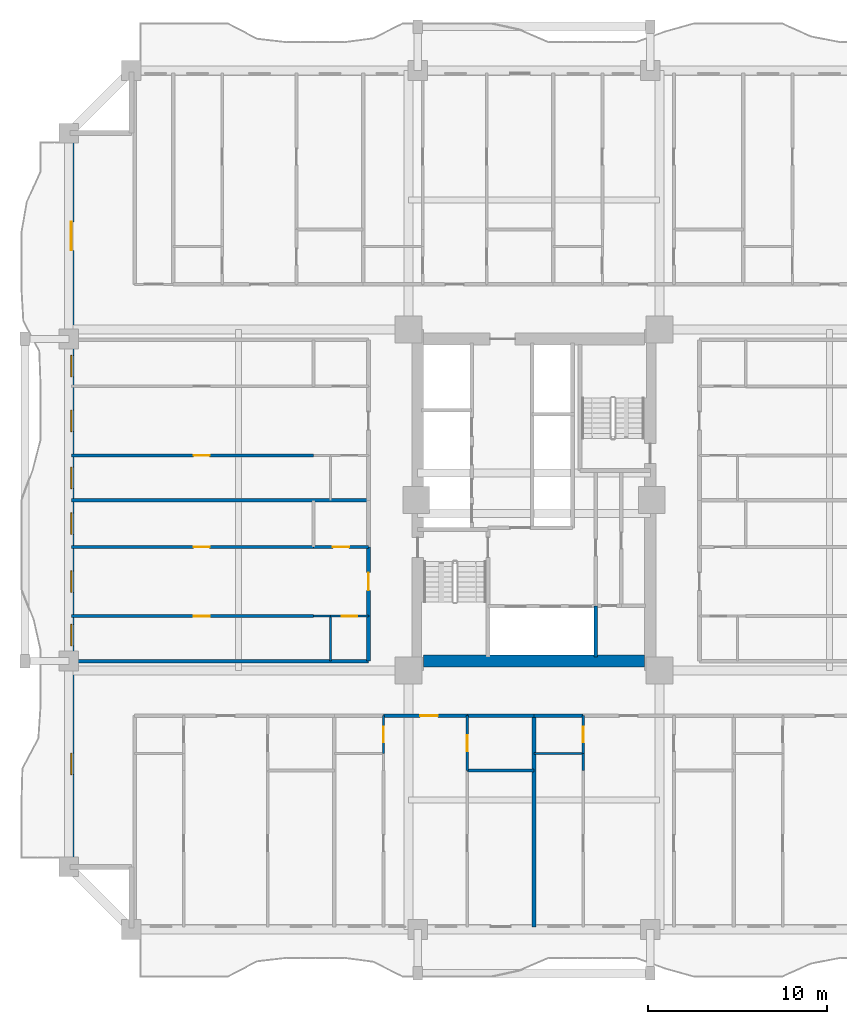
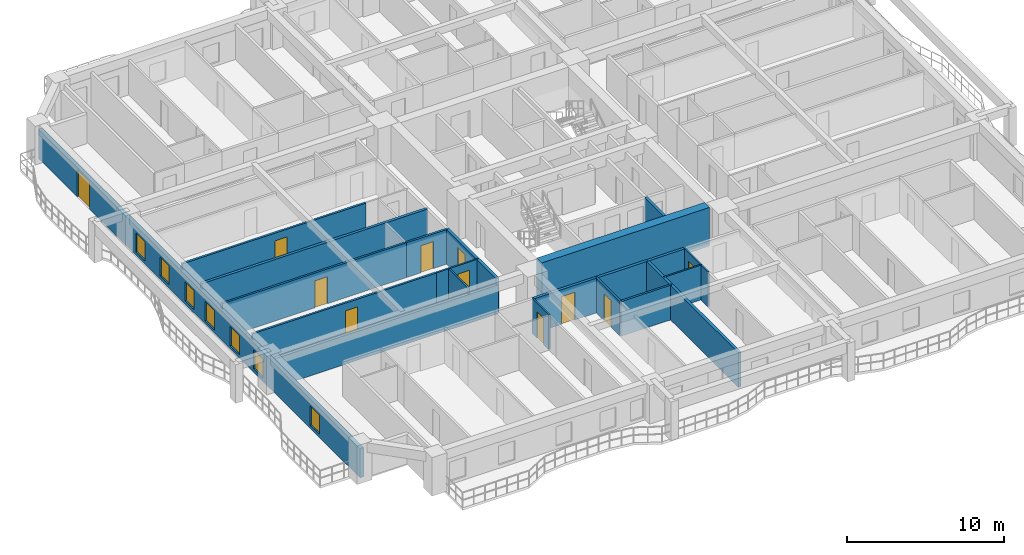
# One storey, part 3 of 15: 24 walls, 11 doors, 7 windows, 18 openings.
"""IFC4 building model written with IfcOpenShell, lengths in metres."""

from ifc_helpers import new_model, si_unit, direction, frame, frame_2d, origin, place, context, subcontext, project, spatial, rectangle, extrude, source, transform, mapped, material, layer, layer_set, type_object, element, fill, save


model = new_model("IFC4")

# Units and contexts
model_context = context("Model", 3, precision=1e-05, world=origin(), true_north=direction((0.0, 1.0)))
body_context = subcontext(model_context, "Body", "Model", "MODEL_VIEW")
ifc_project = project(units=[si_unit("LENGTHUNIT", "METRE"), si_unit("AREAUNIT", "SQUARE_METRE"), si_unit("VOLUMEUNIT", "CUBIC_METRE"), si_unit("PLANEANGLEUNIT", "RADIAN"), si_unit("MASSUNIT", "GRAM", prefix="KILO")], contexts=[model_context])

# Site, building, storey
site_placement = place(None, origin())
site = spatial("IfcSite", under=ifc_project, at=site_placement, CompositionType="ELEMENT")
building_placement = place(site_placement, origin())
building = spatial("IfcBuilding", under=site, at=building_placement, Name="Saelheon Loggia Tower", CompositionType="ELEMENT")
storey_placement = place(building_placement, frame((0.0, 0.0, 67.39990234375)))
storey = spatial("IfcBuildingStorey", under=building, at=storey_placement, Name="L21", CompositionType="ELEMENT", Elevation=67.39990234375)

# Wall
ifc_material_1 = material(Name="Concrete C60/75", Category="concrete")
ifc_layer_1 = layer(ifc_material_1, 0.64990234375)
ifc_layer_set_1 = layer_set([ifc_layer_1], Name="Concrete C60/75")
wall_type_1 = type_object("IfcWallType", Name="Wall_CoreShear_650", PredefinedType="SHEAR", material=ifc_layer_set_1)
wall_1_placement = place(storey_placement, frame((31.824951171875, 18.0, 0.0), z_axis=(0.0, 0.0, 1.0), x_axis=(1.0, 0.0, 0.0)))
element("IfcWall", 1, at=wall_1_placement, inside=storey, type_object=wall_type_1, Name="L21 Core Shear Wall South", PredefinedType="SHEAR", context=body_context, shape_type="SweptSolid", body=[
    extrude(rectangle(XDim=12.35009765625, YDim=0.64990234375, at=frame_2d((6.175048828125, 0.0))), origin(), (0.0, 0.0, 1.0), 3.0),
])

# Wall, openings, windows, door
ifc_material_2 = material(Name="Architectural Precast Concrete C40/50", Category="concrete")
ifc_layer_2 = layer(ifc_material_2, 0.280029296875)
ifc_layer_set_2 = layer_set([ifc_layer_2], Name="Architectural Precast Concrete C40/50")
wall_type_2 = type_object("IfcWallType", Name="Wall_Ext_Loggia_280", PredefinedType="SOLIDWALL", material=ifc_layer_set_2)
wall_2_placement = place(storey_placement, frame((12.139892578125, 6.5, 0.0), z_axis=(0.0, 0.0, 1.0), x_axis=(0.0, 1.0, 0.0)))
wall_2 = element("IfcWall", 2, at=wall_2_placement, inside=storey, type_object=wall_type_2, Name="L21 West Loggia Inner Wall", PredefinedType="SOLIDWALL", context=body_context, shape_type="SweptSolid", body=[
    extrude(rectangle(XDim=41.0, YDim=0.280029296875, at=frame_2d((20.5, 0.0))), origin(), (0.0, 0.0, 1.0), 2.280029296875),
])
opening_1_placement = place(wall_2_placement, frame((5.14990234375, 0.0, 0.25)))
opening_1 = element("IfcOpeningElement", 3, at=opening_1_placement, cuts=wall_2, Name="Opening WN-03", PredefinedType="OPENING", context=body_context, shape_type="SweptSolid", body=[
    extrude(rectangle(XDim=1.199951171875, YDim=1.5, at=frame_2d((0.60009765625, 0.75))), frame((0.0, 0.152099609375, 0.0), z_axis=(0.0, -1.0, 0.0), x_axis=(1.0, 0.0, 0.0)), (0.0, 0.0, 1.0), 0.303955078125),
])
opening_2_placement = place(wall_2_placement, frame((12.3515625, 0.0, 0.25)))
opening_2 = element("IfcOpeningElement", 4, at=opening_2_placement, cuts=wall_2, Name="Opening WN-03", PredefinedType="OPENING", context=body_context, shape_type="SweptSolid", body=[
    extrude(rectangle(XDim=1.199951171875, YDim=1.5, at=frame_2d((0.60009765625, 0.75))), frame((0.0, 0.152099609375, 0.0), z_axis=(0.0, -1.0, 0.0), x_axis=(1.0, 0.0, 0.0)), (0.0, 0.0, 1.0), 0.303955078125),
])
opening_3_placement = place(wall_2_placement, frame((15.343994140625, 0.0, 0.25)))
opening_3 = element("IfcOpeningElement", 5, at=opening_3_placement, cuts=wall_2, Name="Opening WN-03", PredefinedType="OPENING", context=body_context, shape_type="SweptSolid", body=[
    extrude(rectangle(XDim=1.199951171875, YDim=1.5, at=frame_2d((0.60009765625, 0.75))), frame((0.0, 0.152099609375, 0.0), z_axis=(0.0, -1.0, 0.0), x_axis=(1.0, 0.0, 0.0)), (0.0, 0.0, 1.0), 0.303955078125),
])
opening_4_placement = place(wall_2_placement, frame((18.574951171875, 0.0, 0.25)))
opening_4 = element("IfcOpeningElement", 6, at=opening_4_placement, cuts=wall_2, Name="Opening WN-03", PredefinedType="OPENING", context=body_context, shape_type="SweptSolid", body=[
    extrude(rectangle(XDim=1.199951171875, YDim=1.5, at=frame_2d((0.60009765625, 0.75))), frame((0.0, 0.152099609375, 0.0), z_axis=(0.0, -1.0, 0.0), x_axis=(1.0, 0.0, 0.0)), (0.0, 0.0, 1.0), 0.303955078125),
])
opening_5_placement = place(wall_2_placement, frame((21.131591796875, 0.0, 0.25)))
opening_5 = element("IfcOpeningElement", 7, at=opening_5_placement, cuts=wall_2, Name="Opening WN-03", PredefinedType="OPENING", context=body_context, shape_type="SweptSolid", body=[
    extrude(rectangle(XDim=1.199951171875, YDim=1.5, at=frame_2d((0.60009765625, 0.75))), frame((0.0, 0.152099609375, 0.0), z_axis=(0.0, -1.0, 0.0), x_axis=(1.0, 0.0, 0.0)), (0.0, 0.0, 1.0), 0.303955078125),
])
opening_6_placement = place(wall_2_placement, frame((24.319091796875, 0.0, 0.25)))
opening_6 = element("IfcOpeningElement", 8, at=opening_6_placement, cuts=wall_2, Name="Opening WN-03", PredefinedType="OPENING", context=body_context, shape_type="SweptSolid", body=[
    extrude(rectangle(XDim=1.199951171875, YDim=1.5, at=frame_2d((0.60009765625, 0.75))), frame((0.0, 0.152099609375, 0.0), z_axis=(0.0, -1.0, 0.0), x_axis=(1.0, 0.0, 0.0)), (0.0, 0.0, 1.0), 0.303955078125),
])
opening_7_placement = place(wall_2_placement, frame((27.3798828125, 0.0, 0.25)))
opening_7 = element("IfcOpeningElement", 9, at=opening_7_placement, cuts=wall_2, Name="Opening WN-03", PredefinedType="OPENING", context=body_context, shape_type="SweptSolid", body=[
    extrude(rectangle(XDim=1.199951171875, YDim=1.5, at=frame_2d((0.60009765625, 0.75))), frame((0.0, 0.152099609375, 0.0), z_axis=(0.0, -1.0, 0.0), x_axis=(1.0, 0.0, 0.0)), (0.0, 0.0, 1.0), 0.303955078125),
])
opening_8_placement = place(wall_2_placement, frame((34.449951171875, 0.0, 0.0)))
opening_8 = element("IfcOpeningElement", 10, at=opening_8_placement, cuts=wall_2, Name="Opening DLG-1", PredefinedType="OPENING", context=body_context, shape_type="SweptSolid", body=[
    extrude(rectangle(XDim=1.60009765625, YDim=2.14990234375, at=frame_2d((0.800048828125, 1.074951171875))), frame((0.0, 0.152099609375, 0.0), z_axis=(0.0, -1.0, 0.0), x_axis=(1.0, 0.0, 0.0)), (0.0, 0.0, 1.0), 0.303955078125),
])
ifc_material_3 = material(Name="Thermal-Break Aluminium and Triple Low-E Glass", Category="aluminium")
window_type = type_object("IfcWindowType", Name="Win_Bedroom_1200x1500", PartitioningType="SINGLE_PANEL", PredefinedType="WINDOW", material=ifc_material_3)
shared_shape_1 = source(origin(), body_context, "Body", "SweptSolid", [
    extrude(rectangle(XDim=1.199951171875, YDim=1.5, at=frame_2d((0.60009765625, 0.75))), frame((0.0, 0.030029296875, 0.0), z_axis=(0.0, -1.0, 0.0), x_axis=(1.0, 0.0, 0.0)), (0.0, 0.0, 1.0), 0.06005859375),
])
window_1_placement = place(opening_1_placement, origin())
window_1 = element("IfcWindow", 11, at=window_1_placement, inside=storey, type_object=window_type, Name="L21 W Dwelling Window 1", OverallHeight=1.5, OverallWidth=1.199951171875, PartitioningType="SINGLE_PANEL", PredefinedType="WINDOW", context=body_context, shape_type="MappedRepresentation", body=[
    mapped(shared_shape_1, transform((0.0, 0.0, 0.0), scale=1.0)),
])
fill(opening_1, window_1)
window_2_placement = place(opening_2_placement, origin())
window_2 = element("IfcWindow", 12, at=window_2_placement, inside=storey, type_object=window_type, Name="L21 W Dwelling Window 2", OverallHeight=1.5, OverallWidth=1.199951171875, PartitioningType="SINGLE_PANEL", PredefinedType="WINDOW", context=body_context, shape_type="MappedRepresentation", body=[
    mapped(shared_shape_1, transform((0.0, 0.0, 0.0), scale=1.0)),
])
fill(opening_2, window_2)
window_3_placement = place(opening_3_placement, origin())
window_3 = element("IfcWindow", 13, at=window_3_placement, inside=storey, type_object=window_type, Name="L21 W Dwelling Window 3", OverallHeight=1.5, OverallWidth=1.199951171875, PartitioningType="SINGLE_PANEL", PredefinedType="WINDOW", context=body_context, shape_type="MappedRepresentation", body=[
    mapped(shared_shape_1, transform((0.0, 0.0, 0.0), scale=1.0)),
])
fill(opening_3, window_3)
window_4_placement = place(opening_4_placement, origin())
window_4 = element("IfcWindow", 14, at=window_4_placement, inside=storey, type_object=window_type, Name="L21 W Dwelling Window 4", OverallHeight=1.5, OverallWidth=1.199951171875, PartitioningType="SINGLE_PANEL", PredefinedType="WINDOW", context=body_context, shape_type="MappedRepresentation", body=[
    mapped(shared_shape_1, transform((0.0, 0.0, 0.0), scale=1.0)),
])
fill(opening_4, window_4)
window_5_placement = place(opening_5_placement, origin())
window_5 = element("IfcWindow", 15, at=window_5_placement, inside=storey, type_object=window_type, Name="L21 W Dwelling Window 5", OverallHeight=1.5, OverallWidth=1.199951171875, PartitioningType="SINGLE_PANEL", PredefinedType="WINDOW", context=body_context, shape_type="MappedRepresentation", body=[
    mapped(shared_shape_1, transform((0.0, 0.0, 0.0), scale=1.0)),
])
fill(opening_5, window_5)
window_6_placement = place(opening_6_placement, origin())
window_6 = element("IfcWindow", 16, at=window_6_placement, inside=storey, type_object=window_type, Name="L21 W Dwelling Window 6", OverallHeight=1.5, OverallWidth=1.199951171875, PartitioningType="SINGLE_PANEL", PredefinedType="WINDOW", context=body_context, shape_type="MappedRepresentation", body=[
    mapped(shared_shape_1, transform((0.0, 0.0, 0.0), scale=1.0)),
])
fill(opening_6, window_6)
window_7_placement = place(opening_7_placement, origin())
window_7 = element("IfcWindow", 17, at=window_7_placement, inside=storey, type_object=window_type, Name="L21 W Dwelling Window 7", OverallHeight=1.5, OverallWidth=1.199951171875, PartitioningType="SINGLE_PANEL", PredefinedType="WINDOW", context=body_context, shape_type="MappedRepresentation", body=[
    mapped(shared_shape_1, transform((0.0, 0.0, 0.0), scale=1.0)),
])
fill(opening_7, window_7)
ifc_material_4 = material(Name="Thermal-Break Aluminium Sliding Glazed Door", Category="aluminium")
door_type_1 = type_object("IfcDoorType", Name="Door_LoggiaSlide_1600", OperationType="SLIDING_TO_LEFT", PredefinedType="DOOR", material=ifc_material_4)
shared_shape_2 = source(origin(), body_context, "Body", "SweptSolid", [
    extrude(rectangle(XDim=1.60009765625, YDim=2.14990234375, at=frame_2d((0.800048828125, 1.074951171875))), frame((0.0, 0.02490234375, 0.0), z_axis=(0.0, -1.0, 0.0), x_axis=(1.0, 0.0, 0.0)), (0.0, 0.0, 1.0), 0.050048828125),
])
door_1_placement = place(opening_8_placement, origin())
door_1 = element("IfcDoor", 18, at=door_1_placement, inside=storey, type_object=door_type_1, Name="L21 W Loggia Access Door", OperationType="SLIDING_TO_LEFT", OverallHeight=2.14990234375, OverallWidth=1.60009765625, PredefinedType="DOOR", context=body_context, shape_type="MappedRepresentation", body=[
    mapped(shared_shape_2, transform((0.0, 0.0, 0.0), scale=1.0)),
])
fill(opening_8, door_1)

# Wall
ifc_material_5 = material(Name="Lightweight Autoclaved Aerated Concrete Block and Acoustic Gypsum", Category="concrete")
ifc_layer_3 = layer(ifc_material_5, 0.14990234375)
ifc_layer_set_3 = layer_set([ifc_layer_3], Name="Lightweight Autoclaved Aerated Concrete Block and Acoustic Gypsum")
wall_type_3 = type_object("IfcWallType", Name="Wall_Part_150", PredefinedType="PARTITIONING", material=ifc_layer_set_3)
wall_3_placement = place(storey_placement, frame((34.277099609375, 11.8798828125, 0.0), z_axis=(0.0, 0.0, 1.0), x_axis=(1.0, 0.0, 0.0)))
element("IfcWall", 19, at=wall_3_placement, inside=storey, type_object=wall_type_3, Name="L21 S Partition V18", PredefinedType="PARTITIONING", context=body_context, shape_type="SweptSolid", body=[
    extrude(rectangle(XDim=3.722900390625, YDim=0.14990234375, at=frame_2d((1.861328125, 0.0))), origin(), (0.0, 0.0, 1.0), 2.7001953125),
])

# Wall, opening, door
wall_4_placement = place(storey_placement, frame((34.277099609375, 14.949951171875, 0.0), z_axis=(0.0, 0.0, 1.0), x_axis=(0.0, -1.0, 0.0)))
wall_4 = element("IfcWall", 20, at=wall_4_placement, inside=storey, type_object=wall_type_3, Name="L21 S Partition U22", PredefinedType="PARTITIONING", context=body_context, shape_type="SweptSolid", body=[
    extrude(rectangle(XDim=3.070068359375, YDim=0.14990234375, at=frame_2d((1.53515625, 0.0))), origin(), (0.0, 0.0, 1.0), 2.7001953125),
])
opening_9_placement = place(wall_4_placement, frame((1.0849609375, 0.0, 0.0)))
opening_9 = element("IfcOpeningElement", 21, at=opening_9_placement, cuts=wall_4, Name="Opening D-IN2", PredefinedType="OPENING", context=body_context, shape_type="SweptSolid", body=[
    extrude(rectangle(XDim=0.89990234375, YDim=2.10009765625, at=frame_2d((0.449951171875, 1.050048828125))), frame((0.0, 0.0869140625, 0.0), z_axis=(0.0, -1.0, 0.0), x_axis=(1.0, 0.0, 0.0)), (0.0, 0.0, 1.0), 0.173828125),
])
ifc_material_6 = material(Name="Engineered Oak Flush Door", Category="timber")
door_type_2 = type_object("IfcDoorType", Name="Door_Int_900", OperationType="NOTDEFINED", PredefinedType="DOOR", material=ifc_material_6)
shared_shape_3 = source(origin(), body_context, "Body", "SweptSolid", [
    extrude(rectangle(XDim=0.89990234375, YDim=2.10009765625, at=frame_2d((0.449951171875, 1.050048828125))), frame((0.0, 0.02490234375, 0.0), z_axis=(0.0, -1.0, 0.0), x_axis=(1.0, 0.0, 0.0)), (0.0, 0.0, 1.0), 0.050048828125),
])
door_2_placement = place(opening_9_placement, origin())
door_2 = element("IfcDoor", 22, at=door_2_placement, inside=storey, type_object=door_type_2, Name="Unit U02 Home Office Door", OperationType="SINGLE_SWING_RIGHT", OverallHeight=2.10009765625, OverallWidth=0.89990234375, PredefinedType="DOOR", context=body_context, shape_type="MappedRepresentation", body=[
    mapped(shared_shape_3, transform((0.0, 0.0, 0.0), scale=1.0)),
])
fill(opening_9, door_2)

wall_5_placement = place(storey_placement, frame((25.679931640625, 20.512939453125, 0.0), z_axis=(0.0, 0.0, 1.0), x_axis=(-1.0, 0.0, 0.0)))
wall_5 = element("IfcWall", 23, at=wall_5_placement, inside=storey, type_object=wall_type_3, Name="L21 W Partition U10", PredefinedType="PARTITIONING", context=body_context, shape_type="SweptSolid", body=[
    extrude(rectangle(XDim=13.530029296875, YDim=0.14990234375, at=frame_2d((6.76513671875, 0.0))), origin(), (0.0, 0.0, 1.0), 2.7001953125),
])
opening_10_placement = place(wall_5_placement, frame((5.80859375, 0.0, 0.0)))
opening_10 = element("IfcOpeningElement", 24, at=opening_10_placement, cuts=wall_5, Name="Opening D-IN2", PredefinedType="OPENING", context=body_context, shape_type="SweptSolid", body=[
    extrude(rectangle(XDim=0.89990234375, YDim=2.10009765625, at=frame_2d((0.449951171875, 1.050048828125))), frame((0.0, 0.0869140625, 0.0), z_axis=(0.0, -1.0, 0.0), x_axis=(1.0, 0.0, 0.0)), (0.0, 0.0, 1.0), 0.173828125),
])
door_3_placement = place(opening_10_placement, origin())
door_3 = element("IfcDoor", 25, at=door_3_placement, inside=storey, type_object=door_type_2, Name="Unit U09 Kitchen Door", OperationType="SINGLE_SWING_LEFT", OverallHeight=2.10009765625, OverallWidth=0.89990234375, PredefinedType="DOOR", context=body_context, shape_type="MappedRepresentation", body=[
    mapped(shared_shape_3, transform((0.0, 0.0, 0.0), scale=1.0)),
])
fill(opening_10, door_3)

wall_6_placement = place(storey_placement, frame((28.75, 24.375, 0.0), z_axis=(0.0, 0.0, 1.0), x_axis=(-1.0, 0.0, 0.0)))
wall_6 = element("IfcWall", 26, at=wall_6_placement, inside=storey, type_object=wall_type_3, Name="L21 W Partition U11", PredefinedType="PARTITIONING", context=body_context, shape_type="SweptSolid", body=[
    extrude(rectangle(XDim=3.070068359375, YDim=0.14990234375, at=frame_2d((1.53515625, 0.0))), origin(), (0.0, 0.0, 1.0), 2.7001953125),
])
opening_11_placement = place(wall_6_placement, frame((1.0849609375, 0.0, 0.0)))
opening_11 = element("IfcOpeningElement", 27, at=opening_11_placement, cuts=wall_6, Name="Opening D-IN2", PredefinedType="OPENING", context=body_context, shape_type="SweptSolid", body=[
    extrude(rectangle(XDim=0.89990234375, YDim=2.10009765625, at=frame_2d((0.449951171875, 1.050048828125))), frame((0.0, 0.0869140625, 0.0), z_axis=(0.0, -1.0, 0.0), x_axis=(1.0, 0.0, 0.0)), (0.0, 0.0, 1.0), 0.173828125),
])
door_4_placement = place(opening_11_placement, origin())
door_4 = element("IfcDoor", 28, at=door_4_placement, inside=storey, type_object=door_type_2, Name="Unit U09 Dressing Closet Door", OperationType="SINGLE_SWING_RIGHT", OverallHeight=2.10009765625, OverallWidth=0.89990234375, PredefinedType="DOOR", context=body_context, shape_type="MappedRepresentation", body=[
    mapped(shared_shape_3, transform((0.0, 0.0, 0.0), scale=1.0)),
])
fill(opening_11, door_4)

wall_7_placement = place(storey_placement, frame((25.679931640625, 24.375, 0.0), z_axis=(0.0, 0.0, 1.0), x_axis=(-1.0, 0.0, 0.0)))
wall_7 = element("IfcWall", 29, at=wall_7_placement, inside=storey, type_object=wall_type_3, Name="L21 W Partition U12", PredefinedType="PARTITIONING", context=body_context, shape_type="SweptSolid", body=[
    extrude(rectangle(XDim=13.530029296875, YDim=0.14990234375, at=frame_2d((6.76513671875, 0.0))), origin(), (0.0, 0.0, 1.0), 2.7001953125),
])
opening_12_placement = place(wall_7_placement, frame((5.80859375, 0.0, 0.0)))
opening_12 = element("IfcOpeningElement", 30, at=opening_12_placement, cuts=wall_7, Name="Opening D-IN2", PredefinedType="OPENING", context=body_context, shape_type="SweptSolid", body=[
    extrude(rectangle(XDim=0.89990234375, YDim=2.10009765625, at=frame_2d((0.449951171875, 1.050048828125))), frame((0.0, 0.0869140625, 0.0), z_axis=(0.0, -1.0, 0.0), x_axis=(1.0, 0.0, 0.0)), (0.0, 0.0, 1.0), 0.173828125),
])
door_5_placement = place(opening_12_placement, origin())
door_5 = element("IfcDoor", 31, at=door_5_placement, inside=storey, type_object=door_type_2, Name="Unit U09 Bedroom 1 Door", OperationType="SINGLE_SWING_LEFT", OverallHeight=2.10009765625, OverallWidth=0.89990234375, PredefinedType="DOOR", context=body_context, shape_type="MappedRepresentation", body=[
    mapped(shared_shape_3, transform((0.0, 0.0, 0.0), scale=1.0)),
])
fill(opening_12, door_5)

wall_8_placement = place(storey_placement, frame((25.679931640625, 29.488037109375, 0.0), z_axis=(0.0, 0.0, 1.0), x_axis=(-1.0, 0.0, 0.0)))
wall_8 = element("IfcWall", 32, at=wall_8_placement, inside=storey, type_object=wall_type_3, Name="L21 W Partition U21", PredefinedType="PARTITIONING", context=body_context, shape_type="SweptSolid", body=[
    extrude(rectangle(XDim=13.530029296875, YDim=0.14990234375, at=frame_2d((6.76513671875, 0.0))), origin(), (0.0, 0.0, 1.0), 2.7001953125),
])
opening_13_placement = place(wall_8_placement, frame((5.80859375, 0.0, 0.0)))
opening_13 = element("IfcOpeningElement", 33, at=opening_13_placement, cuts=wall_8, Name="Opening D-IN2", PredefinedType="OPENING", context=body_context, shape_type="SweptSolid", body=[
    extrude(rectangle(XDim=0.89990234375, YDim=2.10009765625, at=frame_2d((0.449951171875, 1.050048828125))), frame((0.0, 0.0869140625, 0.0), z_axis=(0.0, -1.0, 0.0), x_axis=(1.0, 0.0, 0.0)), (0.0, 0.0, 1.0), 0.173828125),
])
door_6_placement = place(opening_13_placement, origin())
door_6 = element("IfcDoor", 34, at=door_6_placement, inside=storey, type_object=door_type_2, Name="Unit U10 Kitchen Door", OperationType="SINGLE_SWING_RIGHT", OverallHeight=2.10009765625, OverallWidth=0.89990234375, PredefinedType="DOOR", context=body_context, shape_type="MappedRepresentation", body=[
    mapped(shared_shape_3, transform((0.0, 0.0, 0.0), scale=1.0)),
])
fill(opening_13, door_6)

ifc_material_7 = material(Name="Double Acoustic Stud and Fireboard Partition", Category="gypsum")
ifc_layer_4 = layer(ifc_material_7, 0.199951171875)
ifc_layer_set_4 = layer_set([ifc_layer_4], Name="Double Acoustic Stud and Fireboard Partition")
wall_type_4 = type_object("IfcWallType", Name="Wall_Party_200", PredefinedType="PARTITIONING", material=ifc_layer_set_4)
wall_9_placement = place(storey_placement, frame((29.590087890625, 14.949951171875, 0.0), z_axis=(0.0, 0.0, 1.0), x_axis=(1.0, 0.0, 0.0)))
wall_9 = element("IfcWall", 35, at=wall_9_placement, inside=storey, type_object=wall_type_4, Name="L21 S Partition V15", PredefinedType="PARTITIONING", context=body_context, shape_type="SweptSolid", body=[
    extrude(rectangle(XDim=4.68701171875, YDim=0.199951171875, at=frame_2d((2.343505859375, 0.0))), origin(), (0.0, 0.0, 1.0), 2.7001953125),
])
opening_14_placement = place(wall_9_placement, frame((2.04150390625, 0.0, 0.0)))
opening_14 = element("IfcOpeningElement", 36, at=opening_14_placement, cuts=wall_9, Name="Opening D-FD1", PredefinedType="OPENING", context=body_context, shape_type="SweptSolid", body=[
    extrude(rectangle(XDim=1.0, YDim=2.14990234375, at=frame_2d((0.5, 1.074951171875))), frame((0.0, 0.112060546875, 0.0), z_axis=(0.0, -1.0, 0.0), x_axis=(1.0, 0.0, 0.0)), (0.0, 0.0, 1.0), 0.223876953125),
])
ifc_material_8 = material(Name="Fire-Rated Engineered Timber Entrance Door", Category="wood")
door_type_3 = type_object("IfcDoorType", Name="Door_Flat_FD30S", OperationType="NOTDEFINED", PredefinedType="DOOR", material=ifc_material_8)
shared_shape_4 = source(origin(), body_context, "Body", "SweptSolid", [
    extrude(rectangle(XDim=1.0, YDim=2.14990234375, at=frame_2d((0.5, 1.074951171875))), frame((0.0, 0.02490234375, 0.0), z_axis=(0.0, -1.0, 0.0), x_axis=(1.0, 0.0, 0.0)), (0.0, 0.0, 1.0), 0.050048828125),
])
door_7_placement = place(opening_14_placement, origin())
door_7 = element("IfcDoor", 37, at=door_7_placement, inside=storey, type_object=door_type_3, Name="Unit U02 Entrance Door", OperationType="SINGLE_SWING_LEFT", OverallHeight=2.14990234375, OverallWidth=1.0, PredefinedType="DOOR", context=body_context, shape_type="MappedRepresentation", body=[
    mapped(shared_shape_4, transform((0.0, 0.0, 0.0), scale=1.0)),
])
fill(opening_14, door_7)

# Walls
wall_10_placement = place(storey_placement, frame((34.277099609375, 14.949951171875, 0.0), z_axis=(0.0, 0.0, 1.0), x_axis=(1.0, 0.0, 0.0)))
element("IfcWall", 38, at=wall_10_placement, inside=storey, type_object=wall_type_4, Name="L21 S Partition V16", PredefinedType="PARTITIONING", context=body_context, shape_type="SweptSolid", body=[
    extrude(rectangle(XDim=3.722900390625, YDim=0.199951171875, at=frame_2d((1.861328125, 0.0))), origin(), (0.0, 0.0, 1.0), 2.7001953125),
])
wall_11_placement = place(storey_placement, frame((38.0, 14.949951171875, 0.0), z_axis=(0.0, 0.0, 1.0), x_axis=(0.0, -1.0, 0.0)))
element("IfcWall", 39, at=wall_11_placement, inside=storey, type_object=wall_type_4, Name="L21 S Partition U24", PredefinedType="PARTITIONING", context=body_context, shape_type="SweptSolid", body=[
    extrude(rectangle(XDim=11.800048828125, YDim=0.199951171875, at=frame_2d((5.89990234375, 0.0))), origin(), (0.0, 0.0, 1.0), 2.7001953125),
])
wall_12_placement = place(storey_placement, frame((38.0, 14.949951171875, 0.0), z_axis=(0.0, 0.0, 1.0), x_axis=(1.0, 0.0, 0.0)))
element("IfcWall", 40, at=wall_12_placement, inside=storey, type_object=wall_type_4, Name="L21 S Partition V25", PredefinedType="PARTITIONING", context=body_context, shape_type="SweptSolid", body=[
    extrude(rectangle(XDim=2.75, YDim=0.199951171875, at=frame_2d((1.375, 0.0))), origin(), (0.0, 0.0, 1.0), 2.7001953125),
])
wall_13_placement = place(storey_placement, frame((28.75, 18.0, 0.0), z_axis=(0.0, 0.0, 1.0), x_axis=(-1.0, 0.0, 0.0)))
element("IfcWall", 41, at=wall_13_placement, inside=storey, type_object=wall_type_4, Name="L21 W Partition U01", PredefinedType="PARTITIONING", context=body_context, shape_type="SweptSolid", body=[
    extrude(rectangle(XDim=16.60009765625, YDim=0.199951171875, at=frame_2d((8.300048828125, 0.0))), origin(), (0.0, 0.0, 1.0), 2.239990234375),
])
wall_14_placement = place(storey_placement, frame((28.75, 18.0, 0.0), z_axis=(0.0, 0.0, 1.0), x_axis=(0.0, 1.0, 0.0)))
element("IfcWall", 42, at=wall_14_placement, inside=storey, type_object=wall_type_4, Name="L21 W Partition V03", PredefinedType="PARTITIONING", context=body_context, shape_type="SweptSolid", body=[
    extrude(rectangle(XDim=2.512939453125, YDim=0.199951171875, at=frame_2d((1.25634765625, 0.0))), origin(), (0.0, 0.0, 1.0), 2.7001953125),
])

# Wall, opening, door
wall_15_placement = place(storey_placement, frame((28.75, 20.512939453125, 0.0), z_axis=(0.0, 0.0, 1.0), x_axis=(0.0, 1.0, 0.0)))
wall_15 = element("IfcWall", 43, at=wall_15_placement, inside=storey, type_object=wall_type_4, Name="L21 W Partition V04", PredefinedType="PARTITIONING", context=body_context, shape_type="SweptSolid", body=[
    extrude(rectangle(XDim=3.862060546875, YDim=0.199951171875, at=frame_2d((1.93115234375, 0.0))), origin(), (0.0, 0.0, 1.0), 2.7001953125),
])
opening_15_placement = place(wall_15_placement, frame((1.430908203125, 0.0, 0.0)))
opening_15 = element("IfcOpeningElement", 44, at=opening_15_placement, cuts=wall_15, Name="Opening D-FD1", PredefinedType="OPENING", context=body_context, shape_type="SweptSolid", body=[
    extrude(rectangle(XDim=1.0, YDim=2.14990234375, at=frame_2d((0.5, 1.074951171875))), frame((0.0, 0.112060546875, 0.0), z_axis=(0.0, -1.0, 0.0), x_axis=(1.0, 0.0, 0.0)), (0.0, 0.0, 1.0), 0.223876953125),
])
door_8_placement = place(opening_15_placement, origin())
door_8 = element("IfcDoor", 45, at=door_8_placement, inside=storey, type_object=door_type_3, Name="Unit U09 Entrance Door", OperationType="SINGLE_SWING_LEFT", OverallHeight=2.14990234375, OverallWidth=1.0, PredefinedType="DOOR", context=body_context, shape_type="MappedRepresentation", body=[
    mapped(shared_shape_4, transform((0.0, 0.0, 0.0), scale=1.0)),
])
fill(opening_15, door_8)

# Walls
wall_16_placement = place(storey_placement, frame((28.75, 26.97509765625, 0.0), z_axis=(0.0, 0.0, 1.0), x_axis=(-1.0, 0.0, 0.0)))
element("IfcWall", 46, at=wall_16_placement, inside=storey, type_object=wall_type_4, Name="L21 W Partition U13", PredefinedType="PARTITIONING", context=body_context, shape_type="SweptSolid", body=[
    extrude(rectangle(XDim=16.60009765625, YDim=0.199951171875, at=frame_2d((8.300048828125, 0.0))), origin(), (0.0, 0.0, 1.0), 2.7001953125),
])
ifc_material_9 = material(Name="Concrete C40/50", Category="concrete")
ifc_layer_5 = layer(ifc_material_9, 0.199951171875)
ifc_layer_set_5 = layer_set([ifc_layer_5], Name="Concrete C40/50")
wall_type_5 = type_object("IfcWallType", Name="Wall_Shaft_200", PredefinedType="PARTITIONING", material=ifc_layer_set_5)
wall_17_placement = place(storey_placement, frame((41.449951171875, 18.219970703125, 0.0), z_axis=(0.0, 0.0, 1.0), x_axis=(0.0, 1.0, 0.0)))
element("IfcWall", 47, at=wall_17_placement, inside=storey, type_object=wall_type_5, Name="CW-INT-L21-BOH-W0", PredefinedType="PARTITIONING", context=body_context, shape_type="SweptSolid", body=[
    extrude(rectangle(XDim=2.860107421875, YDim=0.199951171875, at=frame_2d((1.43017578125, 0.0))), origin(), (0.0, 0.0, 1.0), 2.7001953125),
])

# Wall, opening, door
ifc_material_10 = material(Name="Moisture-Resistant Cement Board Partition", Category="gypsum")
ifc_layer_6 = layer(ifc_material_10, 0.1201171875)
ifc_layer_set_6 = layer_set([ifc_layer_6], Name="Moisture-Resistant Cement Board Partition")
wall_type_6 = type_object("IfcWallType", Name="Wall_WetPart_120", PredefinedType="PARTITIONING", material=ifc_layer_set_6)
wall_18_placement = place(storey_placement, frame((29.590087890625, 14.949951171875, 0.0), z_axis=(0.0, 0.0, 1.0), x_axis=(0.0, -1.0, 0.0)))
wall_18 = element("IfcWall", 48, at=wall_18_placement, inside=storey, type_object=wall_type_6, Name="L21 S Partition U19", PredefinedType="PARTITIONING", context=body_context, shape_type="SweptSolid", body=[
    extrude(rectangle(XDim=2.119873046875, YDim=0.1201171875, at=frame_2d((1.06005859375, 0.0))), origin(), (0.0, 0.0, 1.0), 2.7001953125),
])
opening_16_placement = place(wall_18_placement, frame((0.635009765625, 0.0, 0.0)))
opening_16 = element("IfcOpeningElement", 49, at=opening_16_placement, cuts=wall_18, Name="Opening D-BT1", PredefinedType="OPENING", context=body_context, shape_type="SweptSolid", body=[
    extrude(rectangle(XDim=0.85009765625, YDim=2.050048828125, at=frame_2d((0.425048828125, 1.02490234375))), frame((0.0, 0.072021484375, 0.0), z_axis=(0.0, -1.0, 0.0), x_axis=(1.0, 0.0, 0.0)), (0.0, 0.0, 1.0), 0.14404296875),
])
ifc_material_11 = material(Name="Moisture-Resistant Laminate Timber Door", Category="wood")
door_type_4 = type_object("IfcDoorType", Name="Door_Bath_850", OperationType="NOTDEFINED", PredefinedType="DOOR", material=ifc_material_11)
shared_shape_5 = source(origin(), body_context, "Body", "SweptSolid", [
    extrude(rectangle(XDim=0.85009765625, YDim=2.050048828125, at=frame_2d((0.425048828125, 1.02490234375))), frame((0.0, 0.02490234375, 0.0), z_axis=(0.0, -1.0, 0.0), x_axis=(1.0, 0.0, 0.0)), (0.0, 0.0, 1.0), 0.050048828125),
])
door_9_placement = place(opening_16_placement, origin())
door_9 = element("IfcDoor", 50, at=door_9_placement, inside=storey, type_object=door_type_4, Name="Unit U02 Bathroom Door", OperationType="SINGLE_SWING_RIGHT", OverallHeight=2.050048828125, OverallWidth=0.85009765625, PredefinedType="DOOR", context=body_context, shape_type="MappedRepresentation", body=[
    mapped(shared_shape_5, transform((0.0, 0.0, 0.0), scale=1.0)),
])
fill(opening_16, door_9)

# Wall
wall_19_placement = place(storey_placement, frame((38.0, 12.830078125, 0.0), z_axis=(0.0, 0.0, 1.0), x_axis=(1.0, 0.0, 0.0)))
element("IfcWall", 51, at=wall_19_placement, inside=storey, type_object=wall_type_6, Name="L21 S Partition V28", PredefinedType="PARTITIONING", context=body_context, shape_type="SweptSolid", body=[
    extrude(rectangle(XDim=2.75, YDim=0.1201171875, at=frame_2d((1.375, 0.0))), origin(), (0.0, 0.0, 1.0), 2.7001953125),
])

# Wall, opening, door
wall_20_placement = place(storey_placement, frame((40.75, 14.949951171875, 0.0), z_axis=(0.0, 0.0, 1.0), x_axis=(0.0, -1.0, 0.0)))
wall_20 = element("IfcWall", 52, at=wall_20_placement, inside=storey, type_object=wall_type_6, Name="L21 S Partition U30", PredefinedType="PARTITIONING", context=body_context, shape_type="SweptSolid", body=[
    extrude(rectangle(XDim=2.119873046875, YDim=0.1201171875, at=frame_2d((1.06005859375, 0.0))), origin(), (0.0, 0.0, 1.0), 2.7001953125),
])
opening_17_placement = place(wall_20_placement, frame((0.635009765625, 0.0, 0.0)))
opening_17 = element("IfcOpeningElement", 53, at=opening_17_placement, cuts=wall_20, Name="Opening D-BT1", PredefinedType="OPENING", context=body_context, shape_type="SweptSolid", body=[
    extrude(rectangle(XDim=0.85009765625, YDim=2.050048828125, at=frame_2d((0.425048828125, 1.02490234375))), frame((0.0, 0.072021484375, 0.0), z_axis=(0.0, -1.0, 0.0), x_axis=(1.0, 0.0, 0.0)), (0.0, 0.0, 1.0), 0.14404296875),
])
door_10_placement = place(opening_17_placement, origin())
door_10 = element("IfcDoor", 54, at=door_10_placement, inside=storey, type_object=door_type_4, Name="Unit U03 Bathroom Door", OperationType="SINGLE_SWING_LEFT", OverallHeight=2.050048828125, OverallWidth=0.85009765625, PredefinedType="DOOR", context=body_context, shape_type="MappedRepresentation", body=[
    mapped(shared_shape_5, transform((0.0, 0.0, 0.0), scale=1.0)),
])
fill(opening_17, door_10)

# Walls
wall_21_placement = place(storey_placement, frame((40.75, 12.830078125, 0.0), z_axis=(0.0, 0.0, 1.0), x_axis=(0.0, -1.0, 0.0)))
element("IfcWall", 55, at=wall_21_placement, inside=storey, type_object=wall_type_6, Name="L21 S Partition U31", PredefinedType="PARTITIONING", context=body_context, shape_type="SweptSolid", body=[
    extrude(rectangle(XDim=0.9501953125, YDim=0.1201171875, at=frame_2d((0.47509765625, 0.0))), origin(), (0.0, 0.0, 1.0), 2.7001953125),
])
wall_22_placement = place(storey_placement, frame((26.6298828125, 18.0, 0.0), z_axis=(0.0, 0.0, 1.0), x_axis=(0.0, 1.0, 0.0)))
element("IfcWall", 56, at=wall_22_placement, inside=storey, type_object=wall_type_6, Name="L21 W Partition V06", PredefinedType="PARTITIONING", context=body_context, shape_type="SweptSolid", body=[
    extrude(rectangle(XDim=2.512939453125, YDim=0.1201171875, at=frame_2d((1.25634765625, 0.0))), origin(), (0.0, 0.0, 1.0), 2.7001953125),
])

# Wall, opening, door
wall_23_placement = place(storey_placement, frame((28.75, 20.512939453125, 0.0), z_axis=(0.0, 0.0, 1.0), x_axis=(-1.0, 0.0, 0.0)))
wall_23 = element("IfcWall", 57, at=wall_23_placement, inside=storey, type_object=wall_type_6, Name="L21 W Partition U08", PredefinedType="PARTITIONING", context=body_context, shape_type="SweptSolid", body=[
    extrude(rectangle(XDim=2.1201171875, YDim=0.1201171875, at=frame_2d((1.06005859375, 0.0))), origin(), (0.0, 0.0, 1.0), 2.7001953125),
])
opening_18_placement = place(wall_23_placement, frame((0.635009765625, 0.0, 0.0)))
opening_18 = element("IfcOpeningElement", 58, at=opening_18_placement, cuts=wall_23, Name="Opening D-BT1", PredefinedType="OPENING", context=body_context, shape_type="SweptSolid", body=[
    extrude(rectangle(XDim=0.85009765625, YDim=2.050048828125, at=frame_2d((0.425048828125, 1.02490234375))), frame((0.0, 0.072021484375, 0.0), z_axis=(0.0, -1.0, 0.0), x_axis=(1.0, 0.0, 0.0)), (0.0, 0.0, 1.0), 0.14404296875),
])
door_11_placement = place(opening_18_placement, origin())
door_11 = element("IfcDoor", 59, at=door_11_placement, inside=storey, type_object=door_type_4, Name="Unit U09 Bathroom Door", OperationType="SINGLE_SWING_RIGHT", OverallHeight=2.050048828125, OverallWidth=0.85009765625, PredefinedType="DOOR", context=body_context, shape_type="MappedRepresentation", body=[
    mapped(shared_shape_5, transform((0.0, 0.0, 0.0), scale=1.0)),
])
fill(opening_18, door_11)

# Wall
wall_24_placement = place(storey_placement, frame((26.6298828125, 20.512939453125, 0.0), z_axis=(0.0, 0.0, 1.0), x_axis=(-1.0, 0.0, 0.0)))
element("IfcWall", 60, at=wall_24_placement, inside=storey, type_object=wall_type_6, Name="L21 W Partition U09", PredefinedType="PARTITIONING", context=body_context, shape_type="SweptSolid", body=[
    extrude(rectangle(XDim=0.949951171875, YDim=0.1201171875, at=frame_2d((0.47509765625, 0.0))), origin(), (0.0, 0.0, 1.0), 2.7001953125),
])

save(model, "model.ifc")
